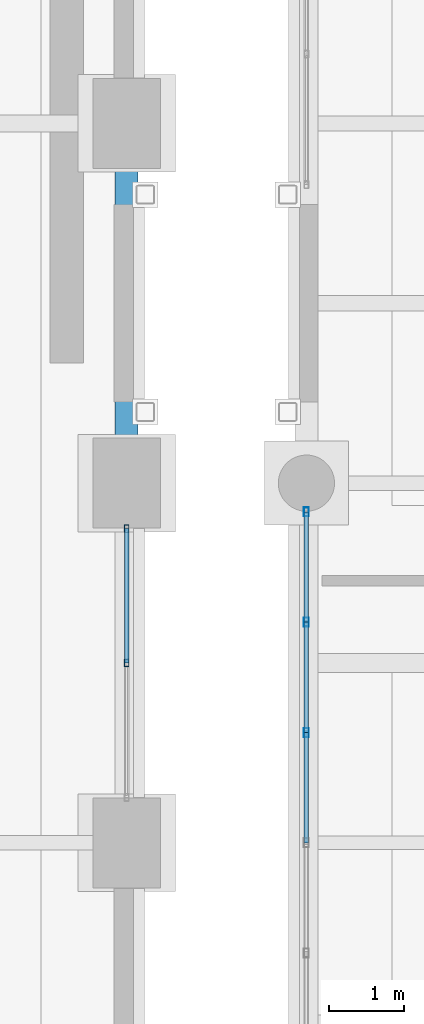
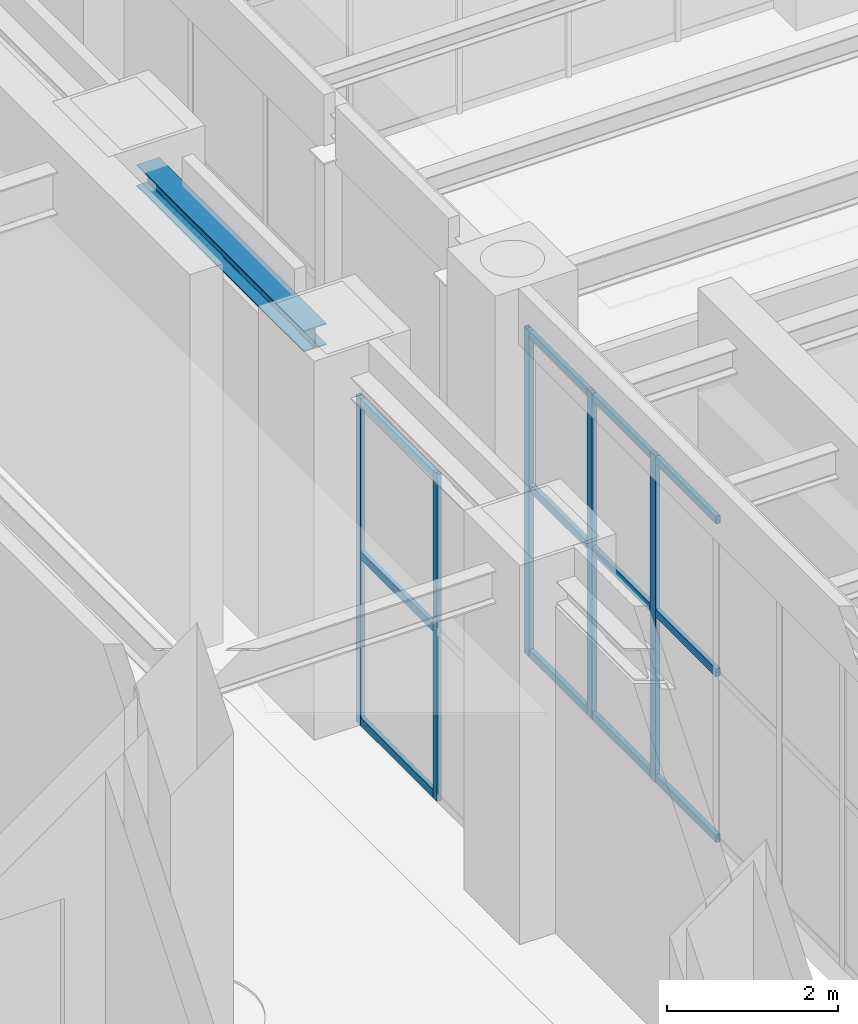
# One storey, part 45 of 164: 17 members, 1 beam, 2 elements without a shape of their own.
"""IFC4 building model written with IfcOpenShell, lengths in metres."""

from ifc_helpers import new_model, si_unit, direction, frame, origin, origin_2d, place, context, subcontext, project, spatial, hollow_rectangle, i_section, extrude, material, material_profile, profile_set, type_object, element, aggregate, save


model = new_model("IFC4")

# Units and contexts
model_context = context("Model", 3, precision=1e-05, world=origin(), true_north=direction((0.0, 1.0)))
body_context = subcontext(model_context, "Body", "Model", "MODEL_VIEW")
ifc_project = project(units=[si_unit("LENGTHUNIT", "METRE"), si_unit("AREAUNIT", "SQUARE_METRE"), si_unit("VOLUMEUNIT", "CUBIC_METRE"), si_unit("PLANEANGLEUNIT", "RADIAN"), si_unit("MASSUNIT", "GRAM", prefix="KILO")], contexts=[model_context])

# Site, building, storey
site_placement = place(None, origin())
site = spatial("IfcSite", under=ifc_project, at=site_placement, CompositionType="ELEMENT")
building_placement = place(site_placement, origin())
building = spatial("IfcBuilding", under=site, at=building_placement, Name="Mavantir Sound Aquarium", CompositionType="ELEMENT")
storey_placement = place(building_placement, origin())
storey = spatial("IfcBuildingStorey", under=building, at=storey_placement, Name="L00", CompositionType="ELEMENT", Elevation=0.0)

# Beam
ifc_material_1 = material(Name="Structural Steel ASTM A992 Gr50", Category="steel")
ifc_material_profile_1 = material_profile(ifc_material_1, i_section(OverallWidth=0.304931640625, OverallDepth=0.30810546875, WebThickness=0.010009765625, FlangeThickness=0.015380859375, FilletRadius=0.014892578125, at=origin_2d()), Name="W310X97")
ifc_profile_set_1 = profile_set([ifc_material_profile_1], Name="Structural Steel ASTM A992 Gr50")
beam_type = type_object("IfcBeamType", Name="BM-W310X97-E", PredefinedType="SPANDREL", material=ifc_profile_set_1)
beam_placement = place(storey_placement, frame((33.60009765625, 60.449951171875, 4.842041015625), z_axis=(0.0, 1.0, 0.0), x_axis=(-1.0, 0.0, 0.0)))
element("IfcBeam", 1, at=beam_placement, inside=storey, type_object=beam_type, Name="L00 primary girder SS-31A 862", PredefinedType="SPANDREL", context=body_context, shape_type="SweptSolid", body=[
    extrude(i_section(OverallWidth=0.304931640625, OverallDepth=0.30810546875, WebThickness=0.010009765625, FlangeThickness=0.015380859375, FilletRadius=0.014892578125, at=origin_2d()), origin(), (0.0, 0.0, 1.0), 3.900146484375),
])

# Curtain wall, members
ifc_material_2 = material(Name="Anodised Marine Aluminium and Low-E Glass", Category="aluminium")
curtain_wall_type_1 = type_object("IfcCurtainWallType", Name="CW-T01", PredefinedType="USERDEFINED", material=ifc_material_2)
curtain_wall_1_placement = place(storey_placement, origin())
curtain_wall_1 = element("IfcCurtainWall", 2, at=curtain_wall_1_placement, inside=storey, type_object=curtain_wall_type_1, Name="L00 unitised curtain wall CW-01 1", ObjectType="UNITISED GLAZING", PredefinedType="USERDEFINED")
ifc_material_3 = material(Name="Anodised Marine Aluminium 6063-T6", Category="aluminium")
ifc_material_profile_2 = material_profile(ifc_material_3, hollow_rectangle(XDim=0.06005859375, YDim=0.10009765625, WallThickness=0.00390625, at=origin_2d()), Name="ALU-MULLION-100X60")
ifc_profile_set_2 = profile_set([ifc_material_profile_2], Name="Anodised Marine Aluminium 6063-T6")
member_type_1 = type_object("IfcMemberType", Name="CW-MUL-100", PredefinedType="MULLION", material=ifc_profile_set_2)
member_1_placement = place(storey_placement, frame((33.60009765625, 57.60009765625, 0.0), z_axis=(0.0, 0.0, 1.0), x_axis=(1.0, 0.0, 0.0)))
member_1 = element("IfcMember", 3, at=member_1_placement, type_object=member_type_1, Name="CW-L00-001 vertical mullion 2", PredefinedType="MULLION", context=body_context, shape_type="SweptSolid", body=[
    extrude(hollow_rectangle(XDim=0.06005859375, YDim=0.10009765625, WallThickness=0.00390625, at=origin_2d()), origin(), (0.0, 0.0, 1.0), 4.657958984375),
])
member_2_placement = place(storey_placement, frame((33.60009765625, 59.39208984375, 0.0), z_axis=(0.0, 0.0, 1.0), x_axis=(1.0, 0.0, 0.0)))
member_2 = element("IfcMember", 4, at=member_2_placement, type_object=member_type_1, Name="CW-L00-001 vertical mullion 3", PredefinedType="MULLION", context=body_context, shape_type="SweptSolid", body=[
    extrude(hollow_rectangle(XDim=0.06005859375, YDim=0.10009765625, WallThickness=0.00390625, at=origin_2d()), origin(), (0.0, 0.0, 1.0), 4.657958984375),
])

curtain_wall_type_2 = type_object("IfcCurtainWallType", Name="CW-T04", PredefinedType="USERDEFINED", material=ifc_material_2)
curtain_wall_2_placement = place(storey_placement, origin())
curtain_wall_2 = element("IfcCurtainWall", 5, at=curtain_wall_2_placement, inside=storey, type_object=curtain_wall_type_2, Name="L00 unitised curtain wall CW-04 4", ObjectType="UNITISED GLAZING", PredefinedType="USERDEFINED")
ifc_material_profile_3 = material_profile(ifc_material_3, hollow_rectangle(XDim=0.06494140625, YDim=0.1201171875, WallThickness=0.00390625, at=origin_2d()), Name="ALU-MULLION-120X65")
ifc_profile_set_3 = profile_set([ifc_material_profile_3], Name="Anodised Marine Aluminium 6063-T6")
member_type_2 = type_object("IfcMemberType", Name="CW-MUL-120", PredefinedType="MULLION", material=ifc_profile_set_3)
member_3_placement = place(storey_placement, frame((36.0, 59.616943359375, 0.0), z_axis=(0.0, 0.0, 1.0), x_axis=(1.0, 0.0, 0.0)))
member_3 = element("IfcMember", 6, at=member_3_placement, type_object=member_type_2, Name="CW-L00-004 vertical mullion 1", PredefinedType="MULLION", context=body_context, shape_type="SweptSolid", body=[
    extrude(hollow_rectangle(XDim=0.06494140625, YDim=0.1201171875, WallThickness=0.00390625, at=origin_2d()), origin(), (0.0, 0.0, 1.0), 4.64892578125),
])
member_4_placement = place(storey_placement, frame((36.0, 58.144775390625, 0.0), z_axis=(0.0, 0.0, 1.0), x_axis=(1.0, 0.0, 0.0)))
member_4 = element("IfcMember", 7, at=member_4_placement, type_object=member_type_2, Name="CW-L00-004 vertical mullion 2", PredefinedType="MULLION", context=body_context, shape_type="SweptSolid", body=[
    extrude(hollow_rectangle(XDim=0.06494140625, YDim=0.1201171875, WallThickness=0.00390625, at=origin_2d()), origin(), (0.0, 0.0, 1.0), 4.64892578125),
])
member_5_placement = place(storey_placement, frame((36.0, 56.67236328125, 0.0), z_axis=(0.0, 0.0, 1.0), x_axis=(1.0, 0.0, 0.0)))
member_5 = element("IfcMember", 8, at=member_5_placement, type_object=member_type_2, Name="CW-L00-004 vertical mullion 3", PredefinedType="MULLION", context=body_context, shape_type="SweptSolid", body=[
    extrude(hollow_rectangle(XDim=0.06494140625, YDim=0.1201171875, WallThickness=0.00390625, at=origin_2d()), origin(), (0.0, 0.0, 1.0), 4.64892578125),
])

# Member
ifc_material_profile_4 = material_profile(ifc_material_3, hollow_rectangle(XDim=0.06005859375, YDim=0.110107421875, WallThickness=0.00390625, at=origin_2d()), Name="ALU-TRANSOM-110X60")
ifc_profile_set_4 = profile_set([ifc_material_profile_4], Name="Anodised Marine Aluminium 6063-T6")
member_type_3 = type_object("IfcMemberType", Name="CW-TRN-110", PredefinedType="USERDEFINED", material=ifc_profile_set_4)
member_6_placement = place(storey_placement, frame((33.60009765625, 57.60009765625, 0.054931640625), z_axis=(0.0, 1.0, 0.0), x_axis=(-1.0, 0.0, 0.0)))
member_6 = element("IfcMember", 9, at=member_6_placement, type_object=member_type_3, Name="CW-L00-001 transom 2.1", ObjectType="TRANSOM", PredefinedType="USERDEFINED", context=body_context, shape_type="SweptSolid", body=[
    extrude(hollow_rectangle(XDim=0.06005859375, YDim=0.110107421875, WallThickness=0.00390625, at=origin_2d()), origin(), (0.0, 0.0, 1.0), 1.7919921875),
])

member_7_placement = place(storey_placement, frame((33.60009765625, 57.60009765625, 2.422119140625), z_axis=(0.0, 1.0, 0.0), x_axis=(-1.0, 0.0, 0.0)))
member_7 = element("IfcMember", 10, at=member_7_placement, type_object=member_type_3, Name="CW-L00-001 transom 2.2", ObjectType="TRANSOM", PredefinedType="USERDEFINED", context=body_context, shape_type="SweptSolid", body=[
    extrude(hollow_rectangle(XDim=0.06005859375, YDim=0.110107421875, WallThickness=0.00390625, at=origin_2d()), origin(), (0.0, 0.0, 1.0), 1.7919921875),
])

member_8_placement = place(storey_placement, frame((33.60009765625, 57.60009765625, 4.60302734375), z_axis=(0.0, 1.0, 0.0), x_axis=(-1.0, 0.0, 0.0)))
member_8 = element("IfcMember", 11, at=member_8_placement, type_object=member_type_3, Name="CW-L00-001 transom 2.3", ObjectType="TRANSOM", PredefinedType="USERDEFINED", context=body_context, shape_type="SweptSolid", body=[
    extrude(hollow_rectangle(XDim=0.06005859375, YDim=0.110107421875, WallThickness=0.00390625, at=origin_2d()), origin(), (0.0, 0.0, 1.0), 1.7919921875),
])

aggregate(curtain_wall_1, [member_1, member_2, member_6, member_7, member_8])

member_9_placement = place(storey_placement, frame((36.0, 59.616943359375, 0.054931640625), z_axis=(0.0, -1.0, 0.0), x_axis=(1.0, 0.0, 0.0)))
member_9 = element("IfcMember", 12, at=member_9_placement, type_object=member_type_3, Name="CW-L00-004 transom 1.1", ObjectType="TRANSOM", PredefinedType="USERDEFINED", context=body_context, shape_type="SweptSolid", body=[
    extrude(hollow_rectangle(XDim=0.06005859375, YDim=0.110107421875, WallThickness=0.00390625, at=origin_2d()), origin(), (0.0, 0.0, 1.0), 1.47216796875),
])

member_10_placement = place(storey_placement, frame((36.0, 59.616943359375, 2.41748046875), z_axis=(0.0, -1.0, 0.0), x_axis=(1.0, 0.0, 0.0)))
member_10 = element("IfcMember", 13, at=member_10_placement, type_object=member_type_3, Name="CW-L00-004 transom 1.2", ObjectType="TRANSOM", PredefinedType="USERDEFINED", context=body_context, shape_type="SweptSolid", body=[
    extrude(hollow_rectangle(XDim=0.06005859375, YDim=0.110107421875, WallThickness=0.00390625, at=origin_2d()), origin(), (0.0, 0.0, 1.0), 1.47216796875),
])

member_11_placement = place(storey_placement, frame((36.0, 59.616943359375, 4.593994140625), z_axis=(0.0, -1.0, 0.0), x_axis=(1.0, 0.0, 0.0)))
member_11 = element("IfcMember", 14, at=member_11_placement, type_object=member_type_3, Name="CW-L00-004 transom 1.3", ObjectType="TRANSOM", PredefinedType="USERDEFINED", context=body_context, shape_type="SweptSolid", body=[
    extrude(hollow_rectangle(XDim=0.06005859375, YDim=0.110107421875, WallThickness=0.00390625, at=origin_2d()), origin(), (0.0, 0.0, 1.0), 1.47216796875),
])

member_12_placement = place(storey_placement, frame((36.0, 58.144775390625, 0.054931640625), z_axis=(0.0, -1.0, 0.0), x_axis=(1.0, 0.0, 0.0)))
member_12 = element("IfcMember", 15, at=member_12_placement, type_object=member_type_3, Name="CW-L00-004 transom 2.1", ObjectType="TRANSOM", PredefinedType="USERDEFINED", context=body_context, shape_type="SweptSolid", body=[
    extrude(hollow_rectangle(XDim=0.06005859375, YDim=0.110107421875, WallThickness=0.00390625, at=origin_2d()), origin(), (0.0, 0.0, 1.0), 1.472412109375),
])

member_13_placement = place(storey_placement, frame((36.0, 58.144775390625, 2.41748046875), z_axis=(0.0, -1.0, 0.0), x_axis=(1.0, 0.0, 0.0)))
member_13 = element("IfcMember", 16, at=member_13_placement, type_object=member_type_3, Name="CW-L00-004 transom 2.2", ObjectType="TRANSOM", PredefinedType="USERDEFINED", context=body_context, shape_type="SweptSolid", body=[
    extrude(hollow_rectangle(XDim=0.06005859375, YDim=0.110107421875, WallThickness=0.00390625, at=origin_2d()), origin(), (0.0, 0.0, 1.0), 1.472412109375),
])

member_14_placement = place(storey_placement, frame((36.0, 58.144775390625, 4.593994140625), z_axis=(0.0, -1.0, 0.0), x_axis=(1.0, 0.0, 0.0)))
member_14 = element("IfcMember", 17, at=member_14_placement, type_object=member_type_3, Name="CW-L00-004 transom 2.3", ObjectType="TRANSOM", PredefinedType="USERDEFINED", context=body_context, shape_type="SweptSolid", body=[
    extrude(hollow_rectangle(XDim=0.06005859375, YDim=0.110107421875, WallThickness=0.00390625, at=origin_2d()), origin(), (0.0, 0.0, 1.0), 1.472412109375),
])

member_15_placement = place(storey_placement, frame((36.0, 56.67236328125, 0.054931640625), z_axis=(0.0, -1.0, 0.0), x_axis=(1.0, 0.0, 0.0)))
member_15 = element("IfcMember", 18, at=member_15_placement, type_object=member_type_3, Name="CW-L00-004 transom 3.1", ObjectType="TRANSOM", PredefinedType="USERDEFINED", context=body_context, shape_type="SweptSolid", body=[
    extrude(hollow_rectangle(XDim=0.06005859375, YDim=0.110107421875, WallThickness=0.00390625, at=origin_2d()), origin(), (0.0, 0.0, 1.0), 1.472412109375),
])

member_16_placement = place(storey_placement, frame((36.0, 56.67236328125, 2.41748046875), z_axis=(0.0, -1.0, 0.0), x_axis=(1.0, 0.0, 0.0)))
member_16 = element("IfcMember", 19, at=member_16_placement, type_object=member_type_3, Name="CW-L00-004 transom 3.2", ObjectType="TRANSOM", PredefinedType="USERDEFINED", context=body_context, shape_type="SweptSolid", body=[
    extrude(hollow_rectangle(XDim=0.06005859375, YDim=0.110107421875, WallThickness=0.00390625, at=origin_2d()), origin(), (0.0, 0.0, 1.0), 1.472412109375),
])

member_17_placement = place(storey_placement, frame((36.0, 56.67236328125, 4.593994140625), z_axis=(0.0, -1.0, 0.0), x_axis=(1.0, 0.0, 0.0)))
member_17 = element("IfcMember", 20, at=member_17_placement, type_object=member_type_3, Name="CW-L00-004 transom 3.3", ObjectType="TRANSOM", PredefinedType="USERDEFINED", context=body_context, shape_type="SweptSolid", body=[
    extrude(hollow_rectangle(XDim=0.06005859375, YDim=0.110107421875, WallThickness=0.00390625, at=origin_2d()), origin(), (0.0, 0.0, 1.0), 1.472412109375),
])

aggregate(curtain_wall_2, [member_3, member_4, member_5, member_9, member_10, member_11, member_12, member_13, member_14, member_15, member_16, member_17])

save(model, "model.ifc")
